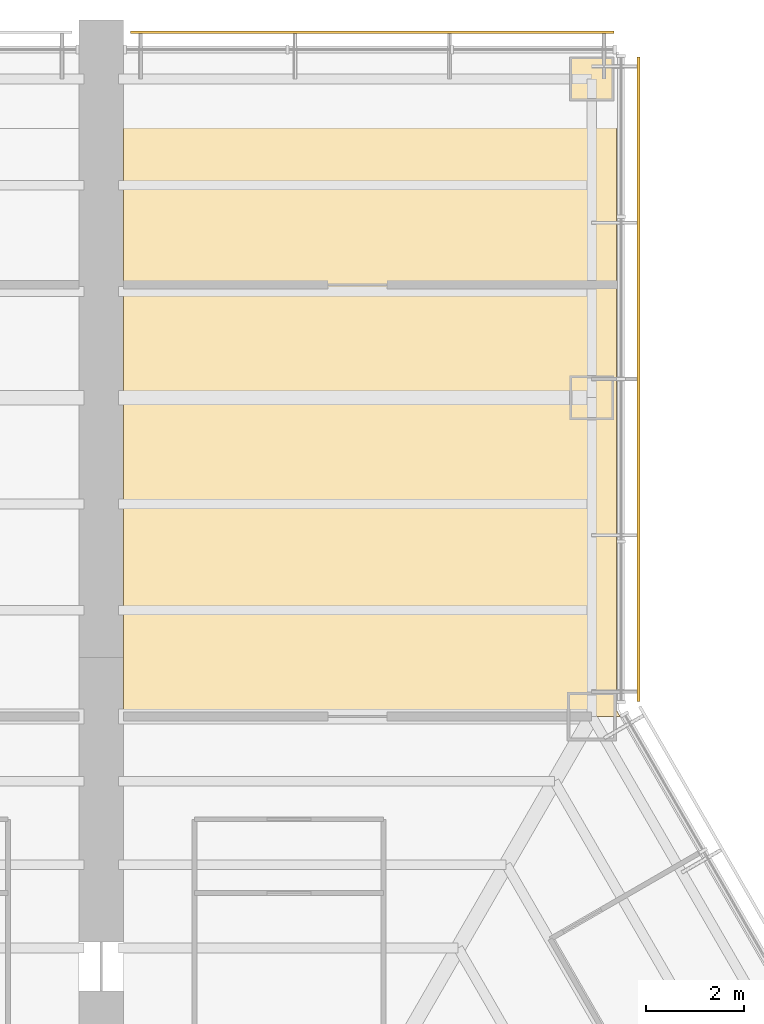
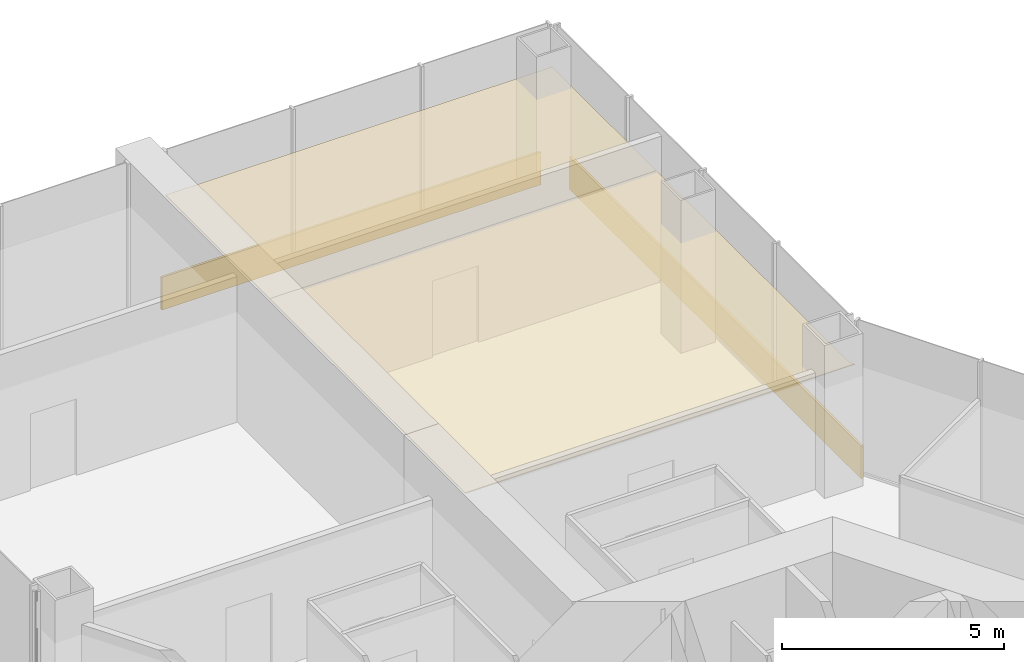
# One storey, part 16 of 16: 2 coverings, 2 shading devices.
"""IFC4 building model written with IfcOpenShell, lengths in metres."""

import ifcopenshell
import ifcopenshell.guid

model = None  # the IFC model being written
_history = None  # IfcOwnerHistory: only IFC2X3 demands one
_inside = {}  # id of a spatial element -> (the spatial element, [elements in it])
_under = {}  # id of a project, library or spatial element -> (it, [spatial elements below it])
_declared = {}  # id of a project -> (the project, [libraries it declares])
_typed = {}  # id of a type object -> (the type object, [elements of that type])
_made_of = {}  # id of a material, layer set ... -> (it, [elements and type objects made of it])


def new_model(schema):
    """Start an empty IFC model of exactly this schema.

    Asked for "IFC4X3", IfcOpenShell would pick the latest addendum, in which some entities
    have other attributes; the version numbers below select the first issue.
    IFC2X3 requires an IfcOwnerHistory on every rooted entity: one is made here for all.
    """
    global model, _history
    if schema == "IFC4X3":
        model = ifcopenshell.file(schema_version=(4, 3, 0, 0))
    else:
        model = ifcopenshell.file(schema=schema)
    _inside.clear()
    _under.clear()
    _declared.clear()
    _typed.clear()
    _made_of.clear()
    _history = None
    if model.schema == "IFC2X3":
        org = make("IfcOrganization", Name="unknown")
        user = make(
            "IfcPersonAndOrganization",
            ThePerson=make("IfcPerson", FamilyName="unknown"),
            TheOrganization=org,
        )
        app = make(
            "IfcApplication",
            ApplicationDeveloper=org,
            Version="unknown",
            ApplicationFullName="unknown",
            ApplicationIdentifier="unknown",
        )
        _history = make(
            "IfcOwnerHistory",
            OwningUser=user,
            OwningApplication=app,
            ChangeAction="ADDED",
            CreationDate=0,
        )
    return model


def make(cls, **values):
    """One entity of the class cls with the attributes given. An attribute that is None is left unset."""
    return model.create_entity(
        cls, **{name: value for name, value in values.items() if value is not None}
    )


def rooted(cls, **values):
    """An entity with a GlobalId (a new one), such as an element, a storey or a relation."""
    return make(cls, GlobalId=ifcopenshell.guid.new(), OwnerHistory=_history, **values)


def si_unit(unit_type, name, prefix=None):
    """IfcSIUnit, for example si_unit("LENGTHUNIT", "METRE", prefix="MILLI")."""
    return make("IfcSIUnit", UnitType=unit_type, Prefix=prefix, Name=name)


def assignment(units):
    """IfcUnitAssignment: the units of a project."""
    return None if units is None else make("IfcUnitAssignment", Units=units)


def point(xyz):
    """IfcCartesianPoint."""
    return None if xyz is None else make("IfcCartesianPoint", Coordinates=xyz)


def direction(xyz):
    """IfcDirection."""
    return None if xyz is None else make("IfcDirection", DirectionRatios=xyz)


def frame(location, z_axis=None, x_axis=None):
    """IfcAxis2Placement3D, a coordinate frame: its origin and axes. An axis left out is left unset."""
    return make(
        "IfcAxis2Placement3D",
        Location=point(location),
        Axis=direction(z_axis),
        RefDirection=direction(x_axis),
    )


def frame_2d(location, x_axis=None):
    """IfcAxis2Placement2D, a coordinate frame in the plane: its origin and x axis."""
    return make(
        "IfcAxis2Placement2D", Location=point(location), RefDirection=direction(x_axis)
    )


def origin():
    """The frame at (0, 0, 0) with its axes left unset."""
    return frame((0.0, 0.0, 0.0))


def origin_2d():
    """The frame at (0, 0) in the plane with its x axis left unset."""
    return frame_2d((0.0, 0.0))


def place(relative_to, where):
    """IfcLocalPlacement: puts the frame where relative to a parent placement (None: the world)."""
    return make(
        "IfcLocalPlacement", PlacementRelTo=relative_to, RelativePlacement=where
    )


def context(
    kind, dimensions, precision=None, world=None, true_north=None, identifier=None
):
    """IfcGeometricRepresentationContext, for example the 3D "Model" context."""
    return make(
        "IfcGeometricRepresentationContext",
        ContextIdentifier=identifier,
        ContextType=kind,
        CoordinateSpaceDimension=dimensions,
        Precision=precision,
        WorldCoordinateSystem=world,
        TrueNorth=true_north,
    )


def subcontext(parent, identifier, kind, view, scale=None):
    """IfcGeometricRepresentationSubContext, for example "Body" below "Model"."""
    return make(
        "IfcGeometricRepresentationSubContext",
        ContextIdentifier=identifier,
        ContextType=kind,
        ParentContext=parent,
        TargetScale=scale,
        TargetView=view,
    )


def project(units=None, contexts=None):
    """IfcProject with its units and contexts."""
    return rooted(
        "IfcProject",
        Name="project",
        RepresentationContexts=contexts,
        UnitsInContext=assignment(units),
    )


def spatial(cls, under=None, at=None, **own):
    """A site, building, storey or space (cls), placed at a placement, below another one or the project."""
    s = rooted(cls, ObjectPlacement=at, **own)
    if under is not None:
        _under.setdefault(under.id(), (under, []))[1].append(s)
    return s


def polyline(points):
    """IfcPolyline through the points."""
    return make("IfcPolyline", Points=[point(p) for p in points])


def profile(cls, at=None, kind="AREA", **sizes):
    """A parametric profile (cls). Its sizes go by their IFC names, for example OverallWidth=200.0."""
    return make(cls, ProfileType=kind, Position=at, **sizes)


def rectangle(**sizes):
    """IfcRectangleProfileDef."""
    return profile("IfcRectangleProfileDef", **sizes)


def outline(outer, holes=None, kind="AREA"):
    """IfcArbitraryClosedProfileDef: a profile drawn as a closed curve; with holes, ...WithVoids."""
    if holes is None:
        return make("IfcArbitraryClosedProfileDef", ProfileType=kind, OuterCurve=outer)
    return make(
        "IfcArbitraryProfileDefWithVoids",
        ProfileType=kind,
        OuterCurve=outer,
        InnerCurves=holes,
    )


def extrude(swept, where, along, depth):
    """IfcExtrudedAreaSolid: the profile swept, set in the frame where, extruded along a direction by depth."""
    return make(
        "IfcExtrudedAreaSolid",
        SweptArea=swept,
        Position=where,
        ExtrudedDirection=direction(along),
        Depth=depth,
    )


def shape(context_of_items, identifier, shape_type, items):
    """IfcShapeRepresentation: the items that make up one representation, for example the "Body"."""
    return make(
        "IfcShapeRepresentation",
        ContextOfItems=context_of_items,
        RepresentationIdentifier=identifier,
        RepresentationType=shape_type,
        Items=items,
    )


def material(Name=None, Category=None):
    """IfcMaterial."""
    return make("IfcMaterial", Name=Name, Category=Category)


def layer(
    of_material, thickness, ventilated=None, Name=None, Category=None, Priority=None
):
    """IfcMaterialLayer: one layer of a wall or slab, of a material (None: an air gap)."""
    return make(
        "IfcMaterialLayer",
        Material=of_material,
        LayerThickness=thickness,
        IsVentilated=ventilated,
        Name=Name,
        Category=Category,
        Priority=Priority,
    )


def layer_set(layers, Name=None):
    """IfcMaterialLayerSet."""
    return make("IfcMaterialLayerSet", MaterialLayers=layers, LayerSetName=Name)


def made_of(thing, what):
    """Note that an element or type object is made of a material, layer set ...; save() writes the relation."""
    if what is not None:
        _made_of.setdefault(what.id(), (what, []))[1].append(thing)
    return thing


def type_object(cls, material=None, **own):
    """A type object (cls), such as IfcWallType, which elements share."""
    return made_of(rooted(cls, **own), material)


def element(
    cls,
    number,
    at=None,
    inside=None,
    cuts=None,
    type_object=None,
    material=None,
    context=None,
    identifier="Body",
    shape_type=None,
    held_by="IfcProductDefinitionShape",
    body=None,
    shapes=None,
    **own,
):
    """One element of the class cls, such as IfcWall. Its Tag is "e" and its number.

    at: its placement. inside: the storey or other place that contains it. cuts: it is an
    opening in that element (IfcRelVoidsElement). A single representation is given by context,
    identifier, shape_type and body (its items); several are given by shapes. held_by: the class
    of the entity that holds the representations. save() writes the other relations.
    """
    e = rooted(cls, Tag="e%d" % number, ObjectPlacement=at, **own)
    if body is not None:
        shapes = [shape(context, identifier, shape_type, body)]
    if shapes is not None:
        e.Representation = make(held_by, Representations=shapes)
    if inside is not None:
        _inside.setdefault(inside.id(), (inside, []))[1].append(e)
    if cuts is not None:
        rooted(
            "IfcRelVoidsElement", RelatingBuildingElement=cuts, RelatedOpeningElement=e
        )
    if type_object is not None:
        _typed.setdefault(type_object.id(), (type_object, []))[1].append(e)
    return made_of(e, material)


def aggregate(whole, parts):
    """IfcRelAggregates: a whole, such as a stair, and the parts it consists of."""
    return rooted("IfcRelAggregates", RelatingObject=whole, RelatedObjects=parts)


def save(model, path):
    """Write the relations noted so far, then the file.

    IfcRelAggregates (storeys below a building ...), IfcRelContainedInSpatialStructure (elements
    in a storey), IfcRelDefinesByType, IfcRelAssociatesMaterial and IfcRelDeclares: one each for
    every whole, place, type object, material and project.
    """
    for whole, parts in _under.values():
        aggregate(whole, parts)
    for where, things in _inside.values():
        rooted(
            "IfcRelContainedInSpatialStructure",
            RelatedElements=things,
            RelatingStructure=where,
        )
    for kind, things in _typed.values():
        rooted("IfcRelDefinesByType", RelatedObjects=things, RelatingType=kind)
    for what, things in _made_of.values():
        rooted("IfcRelAssociatesMaterial", RelatedObjects=things, RelatingMaterial=what)
    for by, libraries in _declared.values():
        rooted("IfcRelDeclares", RelatingContext=by, RelatedDefinitions=libraries)
    model.write(path)


model = new_model("IFC4")

# Units and contexts
model_context = context("Model", 3, precision=1e-05, world=origin(), true_north=direction((0.0, 1.0)))
body_context = subcontext(model_context, "Body", "Model", "MODEL_VIEW")
ifc_project = project(units=[si_unit("LENGTHUNIT", "METRE"), si_unit("AREAUNIT", "SQUARE_METRE"), si_unit("VOLUMEUNIT", "CUBIC_METRE"), si_unit("PLANEANGLEUNIT", "RADIAN"), si_unit("MASSUNIT", "GRAM", prefix="KILO")], contexts=[model_context])

# Site, building, storey
site_placement = place(None, origin())
site = spatial("IfcSite", under=ifc_project, at=site_placement, CompositionType="ELEMENT")
building_placement = place(site_placement, origin())
building = spatial("IfcBuilding", under=site, at=building_placement, Name="Kasaneha Research Tower", CompositionType="ELEMENT")
storey_placement = place(building_placement, frame((0.0, 0.0, 18.39990234375)))
storey = spatial("IfcBuildingStorey", under=building, at=storey_placement, Name="L05", CompositionType="ELEMENT", Elevation=18.39990234375)

# Coverings
ifc_material_1 = material(Name="Washable coated ceiling board", Category="gypsum")
ifc_layer_1 = layer(ifc_material_1, 0.02490234375)
ifc_layer_set_1 = layer_set([ifc_layer_1], Name="Laboratory ceiling 25")
covering_type = type_object("IfcCoveringType", Name="Laboratory ceiling 25", PredefinedType="CEILING", material=ifc_layer_set_1)
covering_1_placement = place(storey_placement, frame((0.0, 0.0, 3.0)))
element("IfcCovering", 1, at=covering_1_placement, inside=storey, type_object=covering_type, Name="Ceiling L05-31", PredefinedType="CEILING", context=body_context, shape_type="SweptSolid", body=[
    extrude(outline(polyline([(10.5, 26.12060546875), (10.5, 17.45458984375), (10.577392578125, 17.320556640625), (0.449951171875, 17.320556640625), (0.449951171875, 26.12060546875), (10.5, 26.12060546875)])), origin(), (0.0, 0.0, 1.0), 0.025146484375),
])
covering_2_placement = place(storey_placement, frame((0.0, 0.0, 3.0)))
element("IfcCovering", 2, at=covering_2_placement, inside=storey, type_object=covering_type, Name="Ceiling L05-32", PredefinedType="CEILING", context=body_context, shape_type="SweptSolid", body=[
    extrude(outline(polyline([(10.5, 30.820556640625), (10.5, 26.12060546875), (0.449951171875, 26.12060546875), (0.449951171875, 30.820556640625), (10.5, 30.820556640625)])), origin(), (0.0, 0.0, 1.0), 0.025146484375),
])

# Shading devices
ifc_material_2 = material(Name="Terracotta", Category="masonry")
ifc_layer_2 = layer(ifc_material_2, 0.06005859375)
ifc_layer_set_2 = layer_set([ifc_layer_2], Name="Terracotta baguette screen")
shading_device_type = type_object("IfcShadingDeviceType", Name="Terracotta baguette screen", PredefinedType="USERDEFINED", material=ifc_layer_set_2)
shading_device_1_placement = place(storey_placement, frame((10.949951171875, 24.200927734375, -0.449951171875), z_axis=(0.0, 0.0, 1.0), x_axis=(0.0, 1.0, 0.0)))
element("IfcShadingDevice", 3, at=shading_device_1_placement, inside=storey, type_object=shading_device_type, Name="Baguette screen L05 08", ObjectType="TERRACOTTA BAGUETTE SCREEN", PredefinedType="USERDEFINED", context=body_context, shape_type="SweptSolid", body=[
    extrude(rectangle(XDim=13.13916015625, YDim=0.06005859375, at=origin_2d()), origin(), (0.0, 0.0, 1.0), 0.89990234375),
])
shading_device_2_placement = place(storey_placement, frame((5.52490234375, 31.2705078125, -0.449951171875), z_axis=(0.0, 0.0, 1.0), x_axis=(-1.0, 0.0, 0.0)))
element("IfcShadingDevice", 4, at=shading_device_2_placement, inside=storey, type_object=shading_device_type, Name="Baguette screen L05 09", ObjectType="TERRACOTTA BAGUETTE SCREEN", PredefinedType="USERDEFINED", context=body_context, shape_type="SweptSolid", body=[
    extrude(rectangle(XDim=9.85009765625, YDim=0.06005859375, at=origin_2d()), origin(), (0.0, 0.0, 1.0), 0.89990234375),
])

save(model, "model.ifc")
